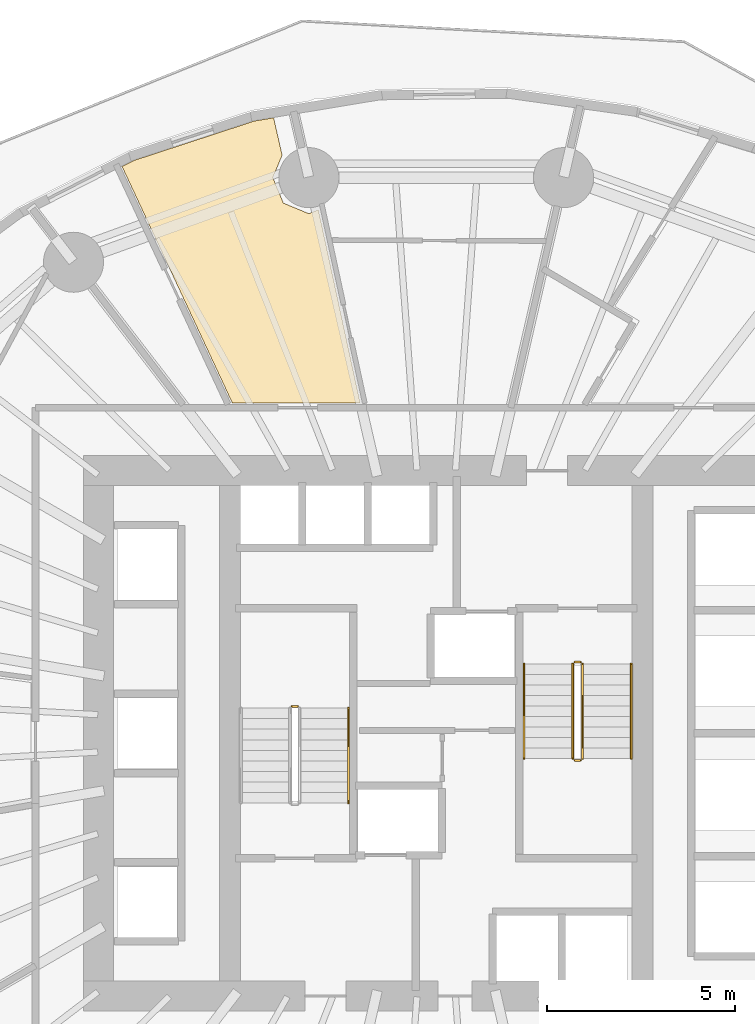
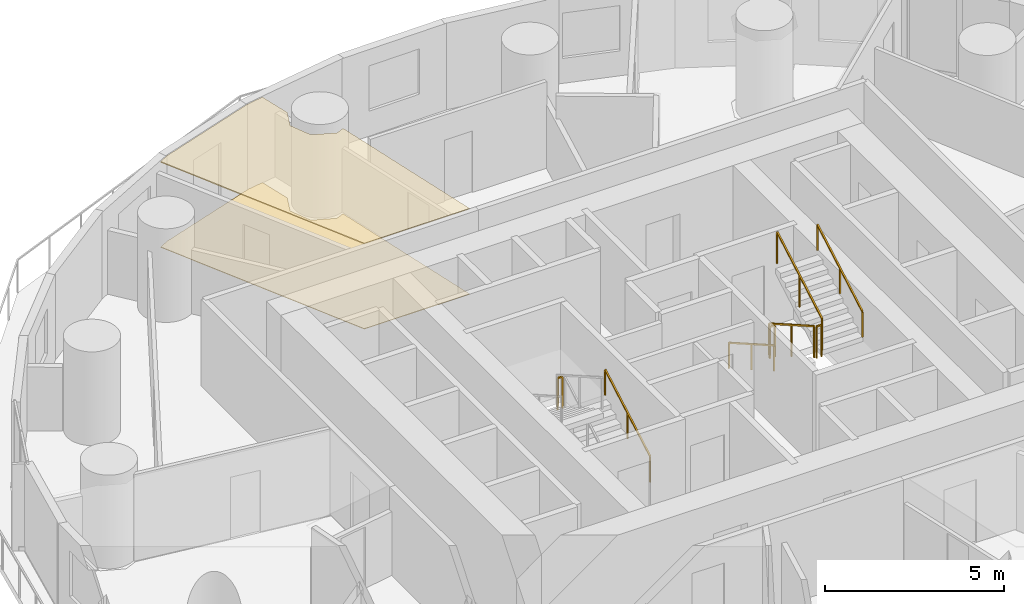
# One storey, part 13 of 14: 8 railings, 2 coverings.
"""IFC4 building model written with IfcOpenShell, lengths in metres."""

from ifc_helpers import new_model, si_unit, direction, frame, origin, origin_2d, place, context, subcontext, project, spatial, polyline, rectangle, outline, extrude, material, layer, layer_set, type_object, element, save


model = new_model("IFC4")

# Units and contexts
model_context = context("Model", 3, precision=1e-05, world=origin(), true_north=direction((0.0, 1.0)))
body_context = subcontext(model_context, "Body", "Model", "MODEL_VIEW")
ifc_project = project(units=[si_unit("LENGTHUNIT", "METRE"), si_unit("AREAUNIT", "SQUARE_METRE"), si_unit("VOLUMEUNIT", "CUBIC_METRE"), si_unit("PLANEANGLEUNIT", "RADIAN"), si_unit("MASSUNIT", "GRAM", prefix="KILO")], contexts=[model_context])

# Site, building, storey
site_placement = place(None, origin())
site = spatial("IfcSite", under=ifc_project, at=site_placement, CompositionType="ELEMENT")
building_placement = place(site_placement, origin())
building = spatial("IfcBuilding", under=site, at=building_placement, Name="Veldorim Arch Residences", CompositionType="ELEMENT")
storey_placement = place(building_placement, frame((0.0, 0.0, 31.199951171875)))
storey = spatial("IfcBuildingStorey", under=building, at=storey_placement, Name="L08", CompositionType="ELEMENT", Elevation=31.199951171875)

# Railings
ifc_material_1 = material(Name="Steel S355", Category="steel")
railing_type_1 = type_object("IfcRailingType", Name="Galvanised Steel Stair Safety Guardrail 1100", PredefinedType="GUARDRAIL", material=ifc_material_1)
railing_1_placement = place(storey_placement, frame((28.31005859375, 24.719970703125, 1.60009765625)))
element("IfcRailing", 1, at=railing_1_placement, inside=storey, type_object=railing_type_1, Name="L08 ST-1 stair guard 2", PredefinedType="GUARDRAIL", context=body_context, shape_type="SweptSolid", body=[
    extrude(rectangle(XDim=0.048095703125, YDim=0.048095703125, at=origin_2d()), frame((0.0, 0.0, 1.076171875), z_axis=(-1.0, 0.0, 0.0), x_axis=(0.0, -1.0, 0.0)), (0.0, 0.0, 1.0), 0.16015625),
    extrude(rectangle(XDim=0.0419921875, YDim=0.0419921875, at=origin_2d()), origin(), (0.0, 0.0, 1.0), 1.052001953125),
    extrude(rectangle(XDim=0.0419921875, YDim=0.0419921875, at=origin_2d()), frame((-0.16015625, 0.0, 0.0)), (0.0, 0.0, 1.0), 1.052001953125),
])
railing_2_placement = place(storey_placement, frame((35.639892578125, 25.85009765625, 0.16015625)))
element("IfcRailing", 2, at=railing_2_placement, inside=storey, type_object=railing_type_1, Name="L08 ST-2 stair guard 1", PredefinedType="GUARDRAIL", context=body_context, shape_type="SweptSolid", body=[
    extrude(rectangle(XDim=0.048095703125, YDim=0.048095703125, at=origin_2d()), frame((0.0, 0.0, 1.076171875), z_axis=(0.0, -0.868253494771, 0.496120820787), x_axis=(1.0, 0.0, 0.0)), (0.0, 0.0, 1.0), 2.90234375),
    extrude(rectangle(XDim=0.0419921875, YDim=0.0419921875, at=origin_2d()), origin(), (0.0, 0.0, 1.0), 1.052001953125),
    extrude(rectangle(XDim=0.0419921875, YDim=0.0419921875, at=origin_2d()), frame((0.0, -1.260009765625, 0.719970703125)), (0.0, 0.0, 1.0), 1.052001953125),
    extrude(rectangle(XDim=0.0419921875, YDim=0.0419921875, at=origin_2d()), frame((0.0, -2.52001953125, 1.43994140625)), (0.0, 0.0, 1.0), 1.052001953125),
])
railing_3_placement = place(storey_placement, frame((35.68994140625, 23.280029296875, 1.60009765625)))
element("IfcRailing", 3, at=railing_3_placement, inside=storey, type_object=railing_type_1, Name="L08 ST-2 stair guard 2", PredefinedType="GUARDRAIL", context=body_context, shape_type="SweptSolid", body=[
    extrude(rectangle(XDim=0.048095703125, YDim=0.048095703125, at=origin_2d()), frame((0.0, 0.0, 1.076171875), z_axis=(1.0, 0.0, 0.0), x_axis=(0.0, 1.0, 0.0)), (0.0, 0.0, 1.0), 0.16015625),
    extrude(rectangle(XDim=0.0419921875, YDim=0.0419921875, at=origin_2d()), origin(), (0.0, 0.0, 1.0), 1.052001953125),
    extrude(rectangle(XDim=0.0419921875, YDim=0.0419921875, at=origin_2d()), frame((0.16015625, 0.0, 0.0)), (0.0, 0.0, 1.0), 1.052001953125),
])
railing_4_placement = place(storey_placement, frame((35.89990234375, 23.330078125, 1.760009765625)))
element("IfcRailing", 4, at=railing_4_placement, inside=storey, type_object=railing_type_1, Name="L08 ST-2 stair guard 3", PredefinedType="GUARDRAIL", context=body_context, shape_type="SweptSolid", body=[
    extrude(rectangle(XDim=0.048095703125, YDim=0.048095703125, at=origin_2d()), frame((0.0, 0.0, 1.076171875), z_axis=(0.0, 0.868253494771, 0.496120820787), x_axis=(-1.0, 0.0, 0.0)), (0.0, 0.0, 1.0), 2.90234375),
    extrude(rectangle(XDim=0.0419921875, YDim=0.0419921875, at=origin_2d()), origin(), (0.0, 0.0, 1.0), 1.052001953125),
    extrude(rectangle(XDim=0.0419921875, YDim=0.0419921875, at=origin_2d()), frame((0.0, 1.260009765625, 0.719970703125)), (0.0, 0.0, 1.0), 1.052001953125),
    extrude(rectangle(XDim=0.0419921875, YDim=0.0419921875, at=origin_2d()), frame((0.0, 2.52001953125, 1.43994140625)), (0.0, 0.0, 1.0), 1.052001953125),
])
railing_5_placement = place(storey_placement, frame((35.68994140625, 25.89990234375, 0.0)))
element("IfcRailing", 5, at=railing_5_placement, inside=storey, type_object=railing_type_1, Name="L08 ST-2 stair guard 4", PredefinedType="GUARDRAIL", context=body_context, shape_type="SweptSolid", body=[
    extrude(rectangle(XDim=0.048095703125, YDim=0.048095703125, at=origin_2d()), frame((0.0, 0.0, 1.076171875), z_axis=(1.0, 0.0, 0.0), x_axis=(0.0, 1.0, 0.0)), (0.0, 0.0, 1.0), 0.16015625),
    extrude(rectangle(XDim=0.0419921875, YDim=0.0419921875, at=origin_2d()), origin(), (0.0, 0.0, 1.0), 1.052001953125),
    extrude(rectangle(XDim=0.0419921875, YDim=0.0419921875, at=origin_2d()), frame((0.16015625, 0.0, 0.0)), (0.0, 0.0, 1.0), 1.052001953125),
])

# Coverings
ifc_material_2 = material(Name="Acoustic Gypsum & Mineral Fibre", Category="gypsum")
ifc_layer_1 = layer(ifc_material_2, 0.034912109375, Name="Perforated Acoustic Mineral-Fibre Ceiling 35")
ifc_layer_set_1 = layer_set([ifc_layer_1], Name="Acoustic Gypsum & Mineral Fibre")
covering_type_1 = type_object("IfcCoveringType", Name="Perforated Acoustic Mineral-Fibre Ceiling 35", PredefinedType="CEILING", material=ifc_layer_set_1)
covering_1_placement = place(storey_placement, frame((0.0, 0.0, 2.905029296875)))
element("IfcCovering", 6, at=covering_1_placement, inside=storey, type_object=covering_type_1, Name="L08 acoustic suspended ceiling 05", PredefinedType="CEILING", context=body_context, shape_type="SweptSolid", body=[
    extrude(outline(polyline([(27.665771484375, 40.4033203125), (27.8935546875, 39.40869140625), (27.6455078125, 38.809814453125), (27.9267578125, 38.131103515625), (28.60546875, 37.85009765625), (28.85888671875, 37.955078125), (29.973876953125, 32.800048828125), (26.569091796875, 32.800048828125), (23.626953125, 39.107177734375), (23.9345703125, 39.2646484375), (27.14892578125, 40.31787109375), (27.665771484375, 40.4033203125)])), origin(), (0.0, 0.0, 1.0), 0.034912109375),
])
ifc_material_3 = material(Name="Porcelain Ceramic Tile", Category="ceramic")
ifc_layer_2 = layer(ifc_material_3, 0.02001953125, Name="Slip-Resistant Porcelain & Vinyl Floor Finish 20")
ifc_layer_set_2 = layer_set([ifc_layer_2], Name="Porcelain Ceramic Tile")
covering_type_2 = type_object("IfcCoveringType", Name="Slip-Resistant Porcelain & Vinyl Floor Finish 20", PredefinedType="FLOORING", material=ifc_layer_set_2)
covering_2_placement = place(storey_placement, origin())
element("IfcCovering", 7, at=covering_2_placement, inside=storey, type_object=covering_type_2, Name="L08 porcelain floor finish 05", PredefinedType="FLOORING", context=body_context, shape_type="SweptSolid", body=[
    extrude(outline(polyline([(27.665771484375, 40.4033203125), (27.8935546875, 39.40869140625), (27.6455078125, 38.809814453125), (27.9267578125, 38.131103515625), (28.60546875, 37.85009765625), (28.85888671875, 37.955078125), (29.973876953125, 32.800048828125), (26.569091796875, 32.800048828125), (23.626953125, 39.107177734375), (23.9345703125, 39.2646484375), (27.14892578125, 40.31787109375), (27.665771484375, 40.4033203125)])), origin(), (0.0, 0.0, 1.0), 0.02001953125),
])

# Railings
ifc_material_4 = material(Name="Stainless Steel", Category="steel")
railing_type_2 = type_object("IfcRailingType", Name="Tubular Steel Continuous Wall Handrail 900", PredefinedType="HANDRAIL", material=ifc_material_4)
railing_6_placement = place(storey_placement, frame((29.659912109375, 22.14990234375, 0.16015625)))
element("IfcRailing", 8, at=railing_6_placement, inside=storey, type_object=railing_type_2, Name="L08 ST-1 stair handrail 1", PredefinedType="HANDRAIL", context=body_context, shape_type="SweptSolid", body=[
    extrude(rectangle(XDim=0.048095703125, YDim=0.048095703125, at=origin_2d()), frame((0.0, 0.0, 0.8759765625), z_axis=(0.0, 0.868253494771, 0.496120820787), x_axis=(-1.0, 0.0, 0.0)), (0.0, 0.0, 1.0), 2.90234375),
    extrude(rectangle(XDim=0.0419921875, YDim=0.0419921875, at=origin_2d()), origin(), (0.0, 0.0, 1.0), 0.851806640625),
    extrude(rectangle(XDim=0.0419921875, YDim=0.0419921875, at=origin_2d()), frame((0.0, 1.260009765625, 0.719970703125)), (0.0, 0.0, 1.0), 0.851806640625),
    extrude(rectangle(XDim=0.0419921875, YDim=0.0419921875, at=origin_2d()), frame((0.0, 2.52001953125, 1.43994140625)), (0.0, 0.0, 1.0), 0.851806640625),
])
railing_7_placement = place(storey_placement, frame((34.340087890625, 25.85009765625, 0.16015625)))
element("IfcRailing", 9, at=railing_7_placement, inside=storey, type_object=railing_type_2, Name="L08 ST-2 stair handrail 1", PredefinedType="HANDRAIL", context=body_context, shape_type="SweptSolid", body=[
    extrude(rectangle(XDim=0.048095703125, YDim=0.048095703125, at=origin_2d()), frame((0.0, 0.0, 0.8759765625), z_axis=(0.0, -0.868253494771, 0.496120820787), x_axis=(1.0, 0.0, 0.0)), (0.0, 0.0, 1.0), 2.90234375),
    extrude(rectangle(XDim=0.0419921875, YDim=0.0419921875, at=origin_2d()), origin(), (0.0, 0.0, 1.0), 0.851806640625),
    extrude(rectangle(XDim=0.0419921875, YDim=0.0419921875, at=origin_2d()), frame((0.0, -1.260009765625, 0.719970703125)), (0.0, 0.0, 1.0), 0.851806640625),
    extrude(rectangle(XDim=0.0419921875, YDim=0.0419921875, at=origin_2d()), frame((0.0, -2.52001953125, 1.43994140625)), (0.0, 0.0, 1.0), 0.851806640625),
])
railing_8_placement = place(storey_placement, frame((37.199951171875, 23.330078125, 1.760009765625)))
element("IfcRailing", 10, at=railing_8_placement, inside=storey, type_object=railing_type_2, Name="L08 ST-2 stair handrail 2", PredefinedType="HANDRAIL", context=body_context, shape_type="SweptSolid", body=[
    extrude(rectangle(XDim=0.048095703125, YDim=0.048095703125, at=origin_2d()), frame((0.0, 0.0, 0.8759765625), z_axis=(0.0, 0.868253494771, 0.496120820787), x_axis=(-1.0, 0.0, 0.0)), (0.0, 0.0, 1.0), 2.90234375),
    extrude(rectangle(XDim=0.0419921875, YDim=0.0419921875, at=origin_2d()), origin(), (0.0, 0.0, 1.0), 0.851806640625),
    extrude(rectangle(XDim=0.0419921875, YDim=0.0419921875, at=origin_2d()), frame((0.0, 1.260009765625, 0.719970703125)), (0.0, 0.0, 1.0), 0.851806640625),
    extrude(rectangle(XDim=0.0419921875, YDim=0.0419921875, at=origin_2d()), frame((0.0, 2.52001953125, 1.43994140625)), (0.0, 0.0, 1.0), 0.851806640625),
])

save(model, "model.ifc")
